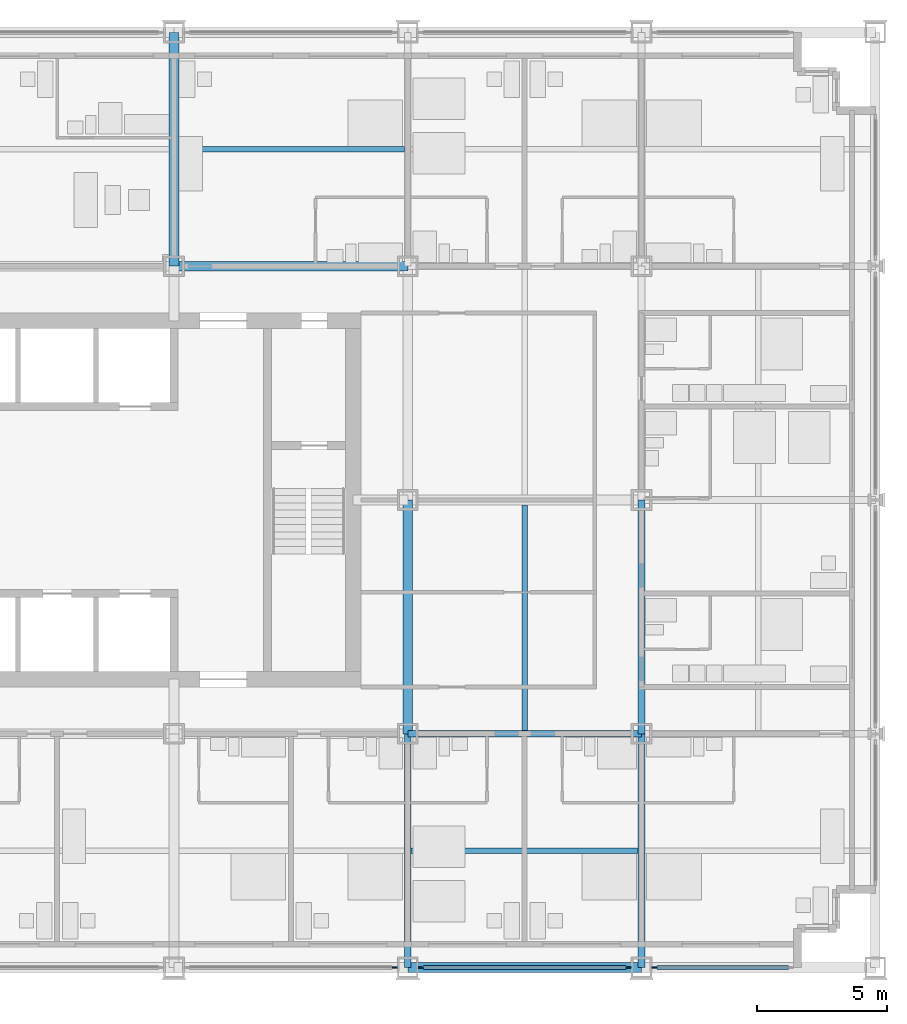
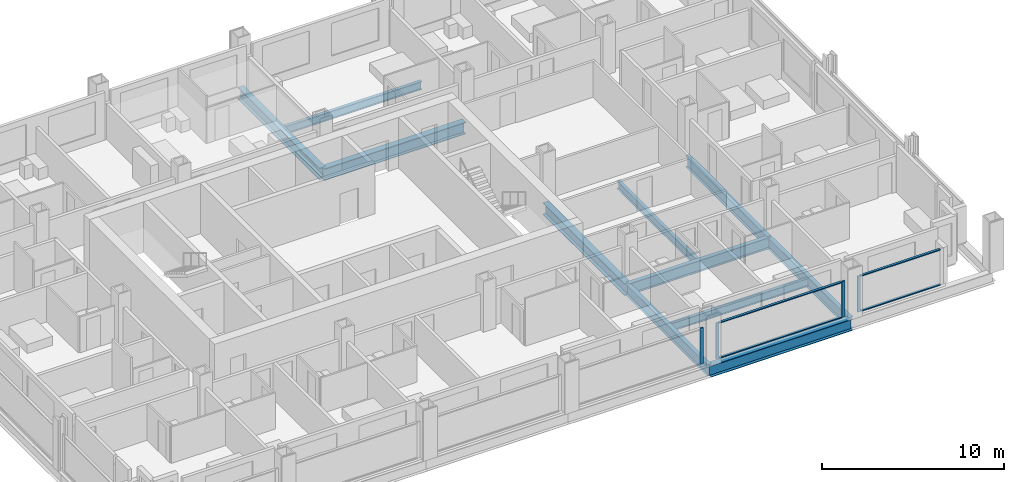
# One storey, part 5 of 18: 11 beams, 8 members, 3 elements without a shape of their own.
"""IFC4 building model written with IfcOpenShell, lengths in metres."""

import ifcopenshell
import ifcopenshell.guid

model = None  # the IFC model being written
_history = None  # IfcOwnerHistory: only IFC2X3 demands one
_inside = {}  # id of a spatial element -> (the spatial element, [elements in it])
_under = {}  # id of a project, library or spatial element -> (it, [spatial elements below it])
_declared = {}  # id of a project -> (the project, [libraries it declares])
_typed = {}  # id of a type object -> (the type object, [elements of that type])
_made_of = {}  # id of a material, layer set ... -> (it, [elements and type objects made of it])


def new_model(schema):
    """Start an empty IFC model of exactly this schema.

    Asked for "IFC4X3", IfcOpenShell would pick the latest addendum, in which some entities
    have other attributes; the version numbers below select the first issue.
    IFC2X3 requires an IfcOwnerHistory on every rooted entity: one is made here for all.
    """
    global model, _history
    if schema == "IFC4X3":
        model = ifcopenshell.file(schema_version=(4, 3, 0, 0))
    else:
        model = ifcopenshell.file(schema=schema)
    _inside.clear()
    _under.clear()
    _declared.clear()
    _typed.clear()
    _made_of.clear()
    _history = None
    if model.schema == "IFC2X3":
        org = make("IfcOrganization", Name="unknown")
        user = make(
            "IfcPersonAndOrganization",
            ThePerson=make("IfcPerson", FamilyName="unknown"),
            TheOrganization=org,
        )
        app = make(
            "IfcApplication",
            ApplicationDeveloper=org,
            Version="unknown",
            ApplicationFullName="unknown",
            ApplicationIdentifier="unknown",
        )
        _history = make(
            "IfcOwnerHistory",
            OwningUser=user,
            OwningApplication=app,
            ChangeAction="ADDED",
            CreationDate=0,
        )
    return model


def make(cls, **values):
    """One entity of the class cls with the attributes given. An attribute that is None is left unset."""
    return model.create_entity(
        cls, **{name: value for name, value in values.items() if value is not None}
    )


def rooted(cls, **values):
    """An entity with a GlobalId (a new one), such as an element, a storey or a relation."""
    return make(cls, GlobalId=ifcopenshell.guid.new(), OwnerHistory=_history, **values)


def si_unit(unit_type, name, prefix=None):
    """IfcSIUnit, for example si_unit("LENGTHUNIT", "METRE", prefix="MILLI")."""
    return make("IfcSIUnit", UnitType=unit_type, Prefix=prefix, Name=name)


def assignment(units):
    """IfcUnitAssignment: the units of a project."""
    return None if units is None else make("IfcUnitAssignment", Units=units)


def point(xyz):
    """IfcCartesianPoint."""
    return None if xyz is None else make("IfcCartesianPoint", Coordinates=xyz)


def direction(xyz):
    """IfcDirection."""
    return None if xyz is None else make("IfcDirection", DirectionRatios=xyz)


def frame(location, z_axis=None, x_axis=None):
    """IfcAxis2Placement3D, a coordinate frame: its origin and axes. An axis left out is left unset."""
    return make(
        "IfcAxis2Placement3D",
        Location=point(location),
        Axis=direction(z_axis),
        RefDirection=direction(x_axis),
    )


def frame_2d(location, x_axis=None):
    """IfcAxis2Placement2D, a coordinate frame in the plane: its origin and x axis."""
    return make(
        "IfcAxis2Placement2D", Location=point(location), RefDirection=direction(x_axis)
    )


def origin():
    """The frame at (0, 0, 0) with its axes left unset."""
    return frame((0.0, 0.0, 0.0))


def origin_2d():
    """The frame at (0, 0) in the plane with its x axis left unset."""
    return frame_2d((0.0, 0.0))


def place(relative_to, where):
    """IfcLocalPlacement: puts the frame where relative to a parent placement (None: the world)."""
    return make(
        "IfcLocalPlacement", PlacementRelTo=relative_to, RelativePlacement=where
    )


def context(
    kind, dimensions, precision=None, world=None, true_north=None, identifier=None
):
    """IfcGeometricRepresentationContext, for example the 3D "Model" context."""
    return make(
        "IfcGeometricRepresentationContext",
        ContextIdentifier=identifier,
        ContextType=kind,
        CoordinateSpaceDimension=dimensions,
        Precision=precision,
        WorldCoordinateSystem=world,
        TrueNorth=true_north,
    )


def subcontext(parent, identifier, kind, view, scale=None):
    """IfcGeometricRepresentationSubContext, for example "Body" below "Model"."""
    return make(
        "IfcGeometricRepresentationSubContext",
        ContextIdentifier=identifier,
        ContextType=kind,
        ParentContext=parent,
        TargetScale=scale,
        TargetView=view,
    )


def project(units=None, contexts=None):
    """IfcProject with its units and contexts."""
    return rooted(
        "IfcProject",
        Name="project",
        RepresentationContexts=contexts,
        UnitsInContext=assignment(units),
    )


def spatial(cls, under=None, at=None, **own):
    """A site, building, storey or space (cls), placed at a placement, below another one or the project."""
    s = rooted(cls, ObjectPlacement=at, **own)
    if under is not None:
        _under.setdefault(under.id(), (under, []))[1].append(s)
    return s


def profile(cls, at=None, kind="AREA", **sizes):
    """A parametric profile (cls). Its sizes go by their IFC names, for example OverallWidth=200.0."""
    return make(cls, ProfileType=kind, Position=at, **sizes)


def rectangle(**sizes):
    """IfcRectangleProfileDef."""
    return profile("IfcRectangleProfileDef", **sizes)


def i_section(**sizes):
    """IfcIShapeProfileDef."""
    return profile("IfcIShapeProfileDef", **sizes)


def extrude(swept, where, along, depth):
    """IfcExtrudedAreaSolid: the profile swept, set in the frame where, extruded along a direction by depth."""
    return make(
        "IfcExtrudedAreaSolid",
        SweptArea=swept,
        Position=where,
        ExtrudedDirection=direction(along),
        Depth=depth,
    )


def shape(context_of_items, identifier, shape_type, items):
    """IfcShapeRepresentation: the items that make up one representation, for example the "Body"."""
    return make(
        "IfcShapeRepresentation",
        ContextOfItems=context_of_items,
        RepresentationIdentifier=identifier,
        RepresentationType=shape_type,
        Items=items,
    )


def material(Name=None, Category=None):
    """IfcMaterial."""
    return make("IfcMaterial", Name=Name, Category=Category)


def material_profile(
    of_material, cross_section, Name=None, Category=None, Priority=None
):
    """IfcMaterialProfile: a cross section and its material."""
    return make(
        "IfcMaterialProfile",
        Name=Name,
        Material=of_material,
        Profile=cross_section,
        Priority=Priority,
        Category=Category,
    )


def profile_set(profiles, Name=None, composite=None):
    """IfcMaterialProfileSet."""
    return make(
        "IfcMaterialProfileSet",
        Name=Name,
        MaterialProfiles=profiles,
        CompositeProfile=composite,
    )


def made_of(thing, what):
    """Note that an element or type object is made of a material, layer set ...; save() writes the relation."""
    if what is not None:
        _made_of.setdefault(what.id(), (what, []))[1].append(thing)
    return thing


def type_object(cls, material=None, **own):
    """A type object (cls), such as IfcWallType, which elements share."""
    return made_of(rooted(cls, **own), material)


def element(
    cls,
    number,
    at=None,
    inside=None,
    cuts=None,
    type_object=None,
    material=None,
    context=None,
    identifier="Body",
    shape_type=None,
    held_by="IfcProductDefinitionShape",
    body=None,
    shapes=None,
    **own,
):
    """One element of the class cls, such as IfcWall. Its Tag is "e" and its number.

    at: its placement. inside: the storey or other place that contains it. cuts: it is an
    opening in that element (IfcRelVoidsElement). A single representation is given by context,
    identifier, shape_type and body (its items); several are given by shapes. held_by: the class
    of the entity that holds the representations. save() writes the other relations.
    """
    e = rooted(cls, Tag="e%d" % number, ObjectPlacement=at, **own)
    if body is not None:
        shapes = [shape(context, identifier, shape_type, body)]
    if shapes is not None:
        e.Representation = make(held_by, Representations=shapes)
    if inside is not None:
        _inside.setdefault(inside.id(), (inside, []))[1].append(e)
    if cuts is not None:
        rooted(
            "IfcRelVoidsElement", RelatingBuildingElement=cuts, RelatedOpeningElement=e
        )
    if type_object is not None:
        _typed.setdefault(type_object.id(), (type_object, []))[1].append(e)
    return made_of(e, material)


def aggregate(whole, parts):
    """IfcRelAggregates: a whole, such as a stair, and the parts it consists of."""
    return rooted("IfcRelAggregates", RelatingObject=whole, RelatedObjects=parts)


def save(model, path):
    """Write the relations noted so far, then the file.

    IfcRelAggregates (storeys below a building ...), IfcRelContainedInSpatialStructure (elements
    in a storey), IfcRelDefinesByType, IfcRelAssociatesMaterial and IfcRelDeclares: one each for
    every whole, place, type object, material and project.
    """
    for whole, parts in _under.values():
        aggregate(whole, parts)
    for where, things in _inside.values():
        rooted(
            "IfcRelContainedInSpatialStructure",
            RelatedElements=things,
            RelatingStructure=where,
        )
    for kind, things in _typed.values():
        rooted("IfcRelDefinesByType", RelatedObjects=things, RelatingType=kind)
    for what, things in _made_of.values():
        rooted("IfcRelAssociatesMaterial", RelatedObjects=things, RelatingMaterial=what)
    for by, libraries in _declared.values():
        rooted("IfcRelDeclares", RelatingContext=by, RelatedDefinitions=libraries)
    model.write(path)


model = new_model("IFC4")

# Units and contexts
model_context = context("Model", 3, precision=1e-05, world=origin(), true_north=direction((0.0, 1.0)))
body_context = subcontext(model_context, "Body", "Model", "MODEL_VIEW")
ifc_project = project(units=[si_unit("LENGTHUNIT", "METRE"), si_unit("AREAUNIT", "SQUARE_METRE"), si_unit("VOLUMEUNIT", "CUBIC_METRE"), si_unit("PLANEANGLEUNIT", "RADIAN"), si_unit("MASSUNIT", "GRAM", prefix="KILO")], contexts=[model_context])

# Site, building, storey
site_placement = place(None, origin())
site = spatial("IfcSite", under=ifc_project, at=site_placement, CompositionType="ELEMENT")
building_placement = place(site_placement, origin())
building = spatial("IfcBuilding", under=site, at=building_placement, Name="Loomwork Tower", CompositionType="ELEMENT")
storey_placement = place(building_placement, frame((0.0, 0.0, 82.39990234375)))
storey = spatial("IfcBuildingStorey", under=building, at=storey_placement, Name="L21", CompositionType="ELEMENT", Elevation=82.39990234375)

# Beams
ifc_material_1 = material(Name="Steel ASTM A992", Category="steel")
ifc_material_profile_1 = material_profile(ifc_material_1, i_section(OverallWidth=0.383544921875, OverallDepth=0.794921875, WebThickness=0.02099609375, FlangeThickness=0.0380859375, at=origin_2d()), Name="W30x235")
ifc_profile_set_1 = profile_set([ifc_material_profile_1], Name="Steel ASTM A992")
beam_type_1 = type_object("IfcBeamType", Name="CORE FLANK GIRDER W30x235", PredefinedType="BEAM", material=ifc_profile_set_1)
for number, where, z_axis, x_axis, name in (
    (1, (27.0, 27.0, -0.597412109375), (1.0, 0.0, 0.0), (0.0, 1.0, 0.0), "Core Flank Girder G/5-G/6 L21"),
    (2, (27.0, 27.0, -0.597412109375), (0.0, 1.0, 0.0), (-1.0, 0.0, 0.0), "Core Flank Girder G/5-H/5 L21"),
    (3, (36.0, 9.0, -0.597412109375), (0.0, 1.0, 0.0), (-1.0, 0.0, 0.0), "Core Flank Girder E/6-F/6 L21"),
):
    element("IfcBeam", number, at=place(storey_placement, frame(where, z_axis=z_axis, x_axis=x_axis)), inside=storey, type_object=beam_type_1, Name=name, PredefinedType="BEAM", context=body_context, shape_type="SweptSolid", body=[
        extrude(i_section(OverallWidth=0.383544921875, OverallDepth=0.794921875, WebThickness=0.02099609375, FlangeThickness=0.0380859375, at=origin_2d()), origin(), (0.0, 0.0, 1.0), 9.0),
    ])
ifc_material_2 = material(Name="Steel ASTM A992", Category="steel")
ifc_material_profile_2 = material_profile(ifc_material_2, i_section(OverallWidth=0.2666015625, OverallDepth=0.761962890625, WebThickness=0.014404296875, FlangeThickness=0.021484375, at=origin_2d()), Name="W30x116")
ifc_profile_set_2 = profile_set([ifc_material_profile_2], Name="Steel ASTM A992")
beam_type_2 = type_object("IfcBeamType", Name="FLOOR GIRDER W30x116", PredefinedType="BEAM", material=ifc_profile_set_2)
for number, where, z_axis, x_axis, name in (
    (4, (36.0, 9.0, -0.580810546875), (1.0, 0.0, 0.0), (0.0, 1.0, 0.0), "Floor Girder E/6-E/7 L21"),
    (5, (36.0, 0.0, -0.580810546875), (0.0, 1.0, 0.0), (-1.0, 0.0, 0.0), "Floor Girder D/6-E/6 L21"),
    (6, (45.0, 0.0, -0.580810546875), (0.0, 1.0, 0.0), (-1.0, 0.0, 0.0), "Floor Girder D/7-E/7 L21"),
    (7, (45.0, 9.0, -0.580810546875), (0.0, 1.0, 0.0), (-1.0, 0.0, 0.0), "Floor Girder E/7-F/7 L21"),
):
    element("IfcBeam", number, at=place(storey_placement, frame(where, z_axis=z_axis, x_axis=x_axis)), inside=storey, type_object=beam_type_2, Name=name, PredefinedType="BEAM", context=body_context, shape_type="SweptSolid", body=[
        extrude(i_section(OverallWidth=0.2666015625, OverallDepth=0.761962890625, WebThickness=0.014404296875, FlangeThickness=0.021484375, at=origin_2d()), origin(), (0.0, 0.0, 1.0), 9.0),
    ])
ifc_material_3 = material(Name="Steel ASTM A992", Category="steel")
ifc_material_profile_3 = material_profile(ifc_material_3, i_section(OverallWidth=0.2109375, OverallDepth=0.53857421875, WebThickness=0.011474609375, FlangeThickness=0.018798828125, at=origin_2d()), Name="W21x73")
ifc_profile_set_3 = profile_set([ifc_material_profile_3], Name="Steel ASTM A992")
beam_type_3 = type_object("IfcBeamType", Name="FLOOR JOIST W21x73", PredefinedType="JOIST", material=ifc_profile_set_3)
beam_1_placement = place(storey_placement, frame((27.19091796875, 31.5, -0.46923828125), z_axis=(1.0, 0.0, 0.0), x_axis=(0.0, 1.0, 0.0)))
element("IfcBeam", 8, at=beam_1_placement, inside=storey, type_object=beam_type_3, Name="Floor Joist 27.000,31.500-36.000,31.500 L21", PredefinedType="JOIST", context=body_context, shape_type="SweptSolid", body=[
    extrude(i_section(OverallWidth=0.2109375, OverallDepth=0.53857421875, WebThickness=0.011474609375, FlangeThickness=0.018798828125, at=origin_2d()), origin(), (0.0, 0.0, 1.0), 8.676025390625),
])
beam_2_placement = place(storey_placement, frame((36.133056640625, 4.5, -0.46923828125), z_axis=(1.0, 0.0, 0.0), x_axis=(0.0, 1.0, 0.0)))
element("IfcBeam", 9, at=beam_2_placement, inside=storey, type_object=beam_type_3, Name="Floor Joist 36.000,4.500-45.000,4.500 L21", PredefinedType="JOIST", context=body_context, shape_type="SweptSolid", body=[
    extrude(i_section(OverallWidth=0.2109375, OverallDepth=0.53857421875, WebThickness=0.011474609375, FlangeThickness=0.018798828125, at=origin_2d()), origin(), (0.0, 0.0, 1.0), 8.73388671875),
])
beam_3_placement = place(storey_placement, frame((40.5, 9.133056640625, -0.46923828125), z_axis=(0.0, 1.0, 0.0), x_axis=(-1.0, 0.0, 0.0)))
element("IfcBeam", 10, at=beam_3_placement, inside=storey, type_object=beam_type_3, Name="Floor Joist 40.500,9.000-40.500,18.000 L21", PredefinedType="JOIST", context=body_context, shape_type="SweptSolid", body=[
    extrude(i_section(OverallWidth=0.2109375, OverallDepth=0.53857421875, WebThickness=0.011474609375, FlangeThickness=0.018798828125, at=origin_2d()), origin(), (0.0, 0.0, 1.0), 8.676025390625),
])

# Curtain wall, member
ifc_material_4 = material(Name="Aluminium curtain wall frame", Category="aluminium")
curtain_wall_type = type_object("IfcCurtainWallType", Name="Outer skin glazing hotel", PredefinedType="NOTDEFINED", material=ifc_material_4)
curtain_wall_1_placement = place(storey_placement, origin())
curtain_wall_1 = element("IfcCurtainWall", 11, at=curtain_wall_1_placement, inside=storey, type_object=curtain_wall_type, Name="Outer skin glazing hotel cw/S-27", PredefinedType="NOTDEFINED")
ifc_material_5 = material(Name="Aluminium curtain wall frame", Category="aluminium")
ifc_material_profile_4 = material_profile(ifc_material_5, rectangle(XDim=0.06494140625, YDim=0.199951171875, at=origin_2d()), Name="AL 65x200")
ifc_profile_set_4 = profile_set([ifc_material_profile_4], Name="Aluminium curtain wall frame")
member_type_1 = type_object("IfcMemberType", Name="Outer skin glazing hotel mullion", PredefinedType="MULLION", material=ifc_profile_set_4)
member_1_placement = place(storey_placement, frame((35.5, 0.0, 0.0), z_axis=(0.0, 0.0, 1.0), x_axis=(0.0, 1.0, 0.0)))
member_1 = element("IfcMember", 12, at=member_1_placement, type_object=member_type_1, Name="CW1 mullion 2", PredefinedType="MULLION", context=body_context, shape_type="SweptSolid", body=[
    extrude(rectangle(XDim=0.06494140625, YDim=0.199951171875, at=origin_2d()), origin(), (0.0, 0.0, 1.0), 2.42041015625),
])
aggregate(curtain_wall_1, [member_1])

# Curtain wall, members
curtain_wall_2_placement = place(storey_placement, origin())
curtain_wall_2 = element("IfcCurtainWall", 13, at=curtain_wall_2_placement, inside=storey, type_object=curtain_wall_type, Name="Outer skin glazing hotel cw/S-36", PredefinedType="NOTDEFINED")
member_2_placement = place(storey_placement, frame((36.5, 0.0, 0.0), z_axis=(0.0, 0.0, 1.0), x_axis=(0.0, 1.0, 0.0)))
member_2 = element("IfcMember", 14, at=member_2_placement, type_object=member_type_1, Name="CW1 mullion 1", PredefinedType="MULLION", context=body_context, shape_type="SweptSolid", body=[
    extrude(rectangle(XDim=0.06494140625, YDim=0.199951171875, at=origin_2d()), origin(), (0.0, 0.0, 1.0), 2.42041015625),
])
member_3_placement = place(storey_placement, frame((44.5, 0.0, 0.0), z_axis=(0.0, 0.0, 1.0), x_axis=(0.0, 1.0, 0.0)))
member_3 = element("IfcMember", 15, at=member_3_placement, type_object=member_type_1, Name="CW1 mullion 2", PredefinedType="MULLION", context=body_context, shape_type="SweptSolid", body=[
    extrude(rectangle(XDim=0.06494140625, YDim=0.199951171875, at=origin_2d()), origin(), (0.0, 0.0, 1.0), 2.42041015625),
])

# Curtain wall, member
curtain_wall_3_placement = place(storey_placement, origin())
curtain_wall_3 = element("IfcCurtainWall", 16, at=curtain_wall_3_placement, inside=storey, type_object=curtain_wall_type, Name="Outer skin glazing hotel cw/S-45", PredefinedType="NOTDEFINED")
member_4_placement = place(storey_placement, frame((45.5, 0.0, 0.0), z_axis=(0.0, 0.0, 1.0), x_axis=(0.0, 1.0, 0.0)))
member_4 = element("IfcMember", 17, at=member_4_placement, type_object=member_type_1, Name="CW1 mullion 1", PredefinedType="MULLION", context=body_context, shape_type="SweptSolid", body=[
    extrude(rectangle(XDim=0.06494140625, YDim=0.199951171875, at=origin_2d()), origin(), (0.0, 0.0, 1.0), 2.42041015625),
])

# Member
ifc_material_6 = material(Name="Aluminium curtain wall frame", Category="aluminium")
ifc_material_profile_5 = material_profile(ifc_material_6, rectangle(XDim=0.14990234375, YDim=0.06494140625, at=origin_2d()), Name="AL 65x150")
ifc_profile_set_5 = profile_set([ifc_material_profile_5], Name="Aluminium curtain wall frame")
member_type_2 = type_object("IfcMemberType", Name="Outer skin glazing hotel transom", PredefinedType="USERDEFINED", material=ifc_profile_set_5)
member_5_placement = place(storey_placement, frame((36.60009765625, 0.0, 0.03271484375), z_axis=(1.0, 0.0, 0.0), x_axis=(0.0, 1.0, 0.0)))
member_5 = element("IfcMember", 18, at=member_5_placement, type_object=member_type_2, Name="CW1 transom 1.1", ObjectType="TRANSOM", PredefinedType="USERDEFINED", context=body_context, shape_type="SweptSolid", body=[
    extrude(rectangle(XDim=0.14990234375, YDim=0.06494140625, at=origin_2d()), origin(), (0.0, 0.0, 1.0), 7.7998046875),
])

member_6_placement = place(storey_placement, frame((36.60009765625, 0.0, 2.3876953125), z_axis=(1.0, 0.0, 0.0), x_axis=(0.0, 1.0, 0.0)))
member_6 = element("IfcMember", 19, at=member_6_placement, type_object=member_type_2, Name="CW1 transom 1.2", ObjectType="TRANSOM", PredefinedType="USERDEFINED", context=body_context, shape_type="SweptSolid", body=[
    extrude(rectangle(XDim=0.14990234375, YDim=0.06494140625, at=origin_2d()), origin(), (0.0, 0.0, 1.0), 7.7998046875),
])

aggregate(curtain_wall_2, [member_2, member_3, member_5, member_6])

member_7_placement = place(storey_placement, frame((45.60009765625, 0.0, 0.03271484375), z_axis=(1.0, 0.0, 0.0), x_axis=(0.0, 1.0, 0.0)))
member_7 = element("IfcMember", 20, at=member_7_placement, type_object=member_type_2, Name="CW1 transom 1.1", ObjectType="TRANSOM", PredefinedType="USERDEFINED", context=body_context, shape_type="SweptSolid", body=[
    extrude(rectangle(XDim=0.14990234375, YDim=0.06494140625, at=origin_2d()), origin(), (0.0, 0.0, 1.0), 5.0498046875),
])

member_8_placement = place(storey_placement, frame((45.60009765625, 0.0, 2.3876953125), z_axis=(1.0, 0.0, 0.0), x_axis=(0.0, 1.0, 0.0)))
member_8 = element("IfcMember", 21, at=member_8_placement, type_object=member_type_2, Name="CW1 transom 1.2", ObjectType="TRANSOM", PredefinedType="USERDEFINED", context=body_context, shape_type="SweptSolid", body=[
    extrude(rectangle(XDim=0.14990234375, YDim=0.06494140625, at=origin_2d()), origin(), (0.0, 0.0, 1.0), 5.0498046875),
])

aggregate(curtain_wall_3, [member_4, member_7, member_8])

# Beam
ifc_material_7 = material(Name="Steel ASTM A992", Category="steel")
ifc_material_profile_6 = material_profile(ifc_material_7, i_section(OverallWidth=0.381103515625, OverallDepth=0.77978515625, WebThickness=0.01806640625, FlangeThickness=0.0302734375, at=origin_2d()), Name="W30x191")
ifc_profile_set_6 = profile_set([ifc_material_profile_6], Name="Steel ASTM A992")
beam_type_4 = type_object("IfcBeamType", Name="SPANDREL GIRDER W30x191", PredefinedType="SPANDREL", material=ifc_profile_set_6)
beam_4_placement = place(storey_placement, frame((36.0, 0.0, -0.58984375), z_axis=(1.0, 0.0, 0.0), x_axis=(0.0, 1.0, 0.0)))
element("IfcBeam", 22, at=beam_4_placement, inside=storey, type_object=beam_type_4, Name="Spandrel Girder D/6-D/7 L21", PredefinedType="SPANDREL", context=body_context, shape_type="SweptSolid", body=[
    extrude(i_section(OverallWidth=0.381103515625, OverallDepth=0.77978515625, WebThickness=0.01806640625, FlangeThickness=0.0302734375, at=origin_2d()), origin(), (0.0, 0.0, 1.0), 9.0),
])

save(model, "model.ifc")
